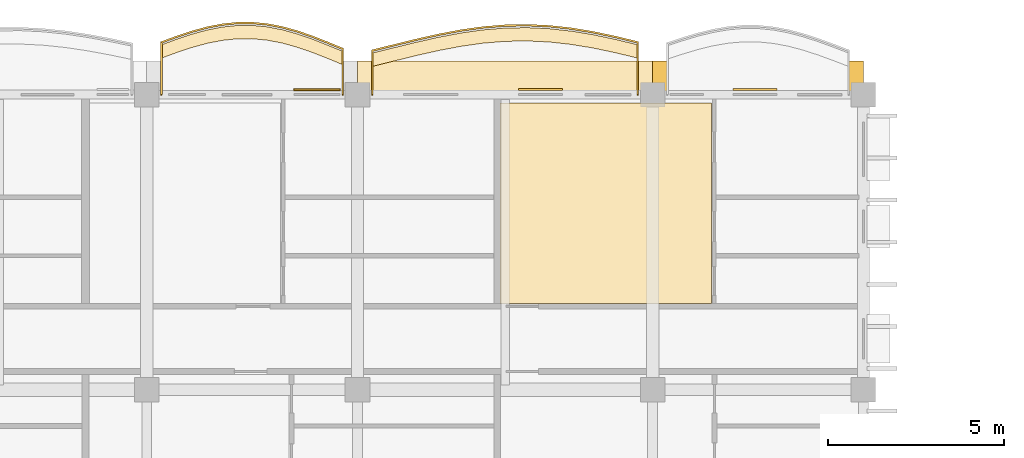
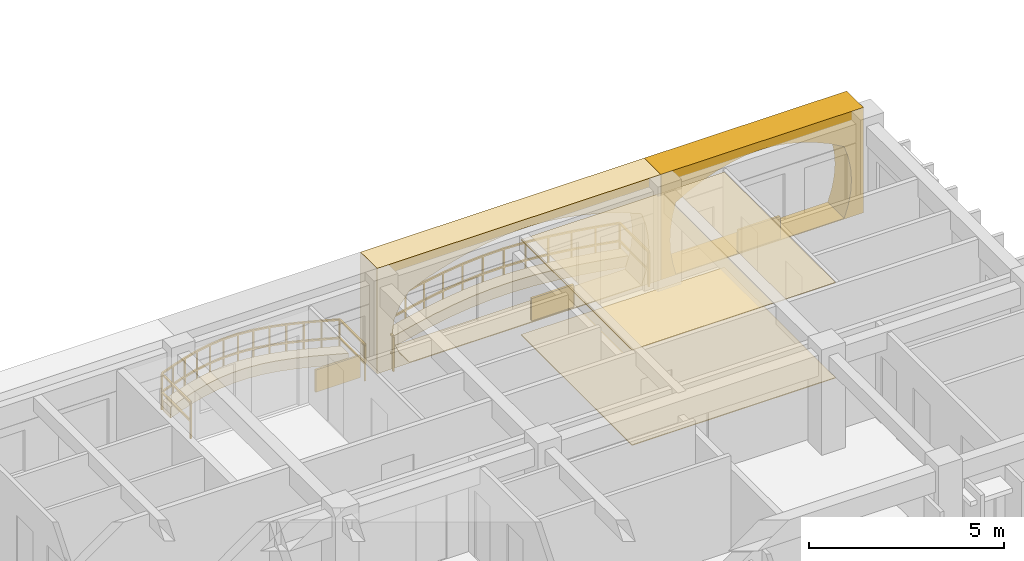
# One storey, part 83 of 101: 9 coverings, 2 railings.
"""IFC4 building model written with IfcOpenShell, lengths in metres."""

from ifc_helpers import new_model, si_unit, direction, frame, origin, origin_2d, place, context, subcontext, project, spatial, polyline, rectangle, outline, extrude, material, layer, layer_set, type_object, element, save


model = new_model("IFC4")

# Units and contexts
model_context = context("Model", 3, precision=1e-05, world=origin(), true_north=direction((0.0, 1.0)))
body_context = subcontext(model_context, "Body", "Model", "MODEL_VIEW")
ifc_project = project(units=[si_unit("LENGTHUNIT", "METRE"), si_unit("AREAUNIT", "SQUARE_METRE"), si_unit("VOLUMEUNIT", "CUBIC_METRE"), si_unit("PLANEANGLEUNIT", "RADIAN"), si_unit("MASSUNIT", "GRAM", prefix="KILO"), si_unit("THERMODYNAMICTEMPERATUREUNIT", "KELVIN")], contexts=[model_context])

# Site, building, storey
site_placement = place(None, origin())
site = spatial("IfcSite", under=ifc_project, at=site_placement, CompositionType="ELEMENT")
building_placement = place(site_placement, origin())
building = spatial("IfcBuilding", under=site, at=building_placement, Name="Thalorik Housing Commons", CompositionType="ELEMENT")
storey_placement = place(building_placement, frame((0.0, 0.0, 8.10009765625)))
storey = spatial("IfcBuildingStorey", under=building, at=storey_placement, Name="L02", CompositionType="ELEMENT", Elevation=8.10009765625)

# Coverings
ifc_material_1 = material(Name="Cobalt blue glazed ceramic facade tile panel", Category="masonry")
ifc_layer_1 = layer(ifc_material_1, 0.06005859375, Name="Cobalt blue glazed ceramic facade tile panel", Category="masonry")
ifc_layer_set_1 = layer_set([ifc_layer_1], Name="Cobalt blue glazed ceramic facade tile panel")
covering_type_1 = type_object("IfcCoveringType", Name="ARC-CLD-BLU-60", PredefinedType="CLADDING", material=ifc_layer_set_1)
covering_1_placement = place(storey_placement, frame((54.516357421875, 123.742431640625, 0.0498046875), z_axis=(0.0, 0.0, 1.0), x_axis=(-1.0, 0.0, 0.0)))
element("IfcCovering", 1, at=covering_1_placement, inside=storey, type_object=covering_type_1, Name="L02 De Stijl Recessed Window Spandrel 183", PredefinedType="CLADDING", context=body_context, shape_type="SweptSolid", body=[
    extrude(rectangle(XDim=1.25, YDim=0.06005859375, at=origin_2d()), origin(), (0.0, 0.0, 1.0), 0.699951171875),
])
ifc_material_2 = material(Name="Precast concrete C40/50", Category="concrete")
ifc_layer_2 = layer(ifc_material_2, 0.85009765625, Name="Precast concrete C40/50", Category="concrete")
ifc_layer_set_2 = layer_set([ifc_layer_2], Name="Precast concrete C40/50")
covering_type_2 = type_object("IfcCoveringType", Name="ARC-CLD-CUSH-850", PredefinedType="CLADDING", material=ifc_layer_set_2)
covering_2_placement = place(storey_placement, frame((54.60009765625, 124.132568359375, 0.0), z_axis=(0.0, 0.0, 1.0), x_axis=(-1.0, 0.0, 0.0)))
element("IfcCovering", 2, at=covering_2_placement, inside=storey, type_object=covering_type_2, Name="L02 White Precast Curved Cushion Bay Frame 182", PredefinedType="CLADDING", context=body_context, shape_type="SweptSolid", body=[
    extrude(outline(polyline([(-3.0, 0.0), (3.0, 0.0), (3.0, 3.300048828125), (-3.0, 3.300048828125), (-3.0, 0.0)]), holes=[polyline([(2.5537109375, 0.02490234375), (2.647705078125, 0.399169921875), (2.704345703125, 0.773193359375), (2.72314453125, 1.1474609375), (2.704345703125, 1.521728515625), (2.647705078125, 1.895751953125), (2.5537109375, 2.27001953125), (2.13818359375, 2.50439453125), (1.722900390625, 2.6884765625), (1.3076171875, 2.837646484375), (0.892333984375, 2.948486328125), (0.47705078125, 3.016845703125), (0.061767578125, 3.0400390625), (-0.353515625, 3.016845703125), (-0.768798828125, 2.948486328125), (-1.18408203125, 2.837646484375), (-1.599365234375, 2.6884765625), (-2.0146484375, 2.50439453125), (-2.429931640625, 2.27001953125), (-2.55029296875, 1.895751953125), (-2.62255859375, 1.521728515625), (-2.646484375, 1.1474609375), (-2.62255859375, 0.773193359375), (-2.55029296875, 0.399169921875), (-2.429931640625, 0.02490234375), (2.5537109375, 0.02490234375)])]), frame((0.0, 0.425048828125, 0.0), z_axis=(0.0, -1.0, 0.0), x_axis=(1.0, 0.0, 0.0)), (0.0, 0.0, 1.0), 0.85009765625),
])
covering_3_placement = place(storey_placement, frame((47.39990234375, 124.132568359375, 0.0), z_axis=(0.0, 0.0, 1.0), x_axis=(-1.0, 0.0, 0.0)))
element("IfcCovering", 3, at=covering_3_placement, inside=storey, type_object=covering_type_2, Name="L02 White Precast Curved Cushion Bay Frame 184", PredefinedType="CLADDING", context=body_context, shape_type="SweptSolid", body=[
    extrude(outline(polyline([(-4.199951171875, 0.0), (4.199951171875, 0.0), (4.199951171875, 3.300048828125), (-4.199951171875, 3.300048828125), (-4.199951171875, 0.0)]), holes=[polyline([(3.239990234375, 0.02490234375), (3.523193359375, 0.399169921875), (3.693359375, 0.773193359375), (3.75, 1.1474609375), (3.693359375, 1.521728515625), (3.523193359375, 1.895751953125), (3.239990234375, 2.27001953125), (2.66748046875, 2.50439453125), (2.094970703125, 2.6884765625), (1.5224609375, 2.837646484375), (0.949951171875, 2.948486328125), (0.37744140625, 3.016845703125), (-0.195068359375, 3.0400390625), (-0.767578125, 3.016845703125), (-1.340087890625, 2.948486328125), (-1.91259765625, 2.837646484375), (-2.485107421875, 2.6884765625), (-3.0576171875, 2.50439453125), (-3.6298828125, 2.27001953125), (-3.750244140625, 1.895751953125), (-3.822509765625, 1.521728515625), (-3.8466796875, 1.1474609375), (-3.822509765625, 0.773193359375), (-3.750244140625, 0.399169921875), (-3.6298828125, 0.02490234375), (3.239990234375, 0.02490234375)])]), frame((0.0, 0.425048828125, 0.0), z_axis=(0.0, -1.0, 0.0), x_axis=(1.0, 0.0, 0.0)), (0.0, 0.0, 1.0), 0.85009765625),
])
ifc_material_3 = material(Name="Terracotta red mineral fibre-cement panel", Category="masonry")
ifc_layer_3 = layer(ifc_material_3, 0.054931640625, Name="Terracotta red mineral fibre-cement panel", Category="masonry")
ifc_layer_set_3 = layer_set([ifc_layer_3], Name="Terracotta red mineral fibre-cement panel")
covering_type_3 = type_object("IfcCoveringType", Name="ARC-CLD-RED-55", PredefinedType="CLADDING", material=ifc_layer_set_3)
covering_4_placement = place(storey_placement, frame((42.0478515625, 123.739990234375, 0.0498046875), z_axis=(0.0, 0.0, 1.0), x_axis=(-1.0, 0.0, 0.0)))
element("IfcCovering", 4, at=covering_4_placement, inside=storey, type_object=covering_type_3, Name="L02 De Stijl Recessed Window Spandrel 187", PredefinedType="CLADDING", context=body_context, shape_type="SweptSolid", body=[
    extrude(rectangle(XDim=1.320068359375, YDim=0.054931640625, at=origin_2d()), origin(), (0.0, 0.0, 1.0), 0.699951171875),
])
ifc_material_4 = material(Name="Mineral ochre architectural terracotta panel", Category="masonry")
ifc_layer_4 = layer(ifc_material_4, 0.06494140625, Name="Mineral ochre architectural terracotta panel", Category="masonry")
ifc_layer_set_4 = layer_set([ifc_layer_4], Name="Mineral ochre architectural terracotta panel")
covering_type_4 = type_object("IfcCoveringType", Name="ARC-CLD-YEL-65", PredefinedType="CLADDING", material=ifc_layer_set_4)
covering_5_placement = place(storey_placement, frame((48.405029296875, 123.7451171875, 0.0498046875), z_axis=(0.0, 0.0, 1.0), x_axis=(-1.0, 0.0, 0.0)))
element("IfcCovering", 5, at=covering_5_placement, inside=storey, type_object=covering_type_4, Name="L02 De Stijl Recessed Window Spandrel 185", PredefinedType="CLADDING", context=body_context, shape_type="SweptSolid", body=[
    extrude(rectangle(XDim=1.25, YDim=0.06494140625, at=origin_2d()), origin(), (0.0, 0.0, 1.0), 0.699951171875),
])
ifc_material_5 = material(Name="Moisture-resistant gypsum bathroom ceiling")
ifc_layer_5 = layer(ifc_material_5, 0.02490234375, Name="Moisture-resistant gypsum bathroom ceiling")
ifc_layer_set_5 = layer_set([ifc_layer_5], Name="Moisture-resistant gypsum bathroom ceiling")
covering_type_5 = type_object("IfcCoveringType", Name="ARC-COV-CEIL-04", PredefinedType="CEILING", material=ifc_layer_set_5)
covering_6_placement = place(storey_placement, frame((0.0, 0.0, 2.974853515625)))
element("IfcCovering", 6, at=covering_6_placement, inside=storey, type_object=covering_type_5, Name="L02 Family Lounge Suspended Ceiling", PredefinedType="CEILING", context=body_context, shape_type="SweptSolid", body=[
    extrude(outline(polyline([(53.28271484375, 117.659912109375), (53.28271484375, 123.360107421875), (47.260009765625, 123.360107421875), (47.260009765625, 117.659912109375), (53.28271484375, 117.659912109375)])), origin(), (0.0, 0.0, 1.0), 0.025146484375),
])
ifc_material_6 = material(Name="Sprung Brazilian oak assembly hall timber floor", Category="wood")
ifc_layer_6 = layer(ifc_material_6, 0.02392578125, Name="Sprung Brazilian oak assembly hall timber floor", Category="wood")
ifc_layer_set_6 = layer_set([ifc_layer_6], Name="Sprung Brazilian oak assembly hall timber floor")
covering_type_6 = type_object("IfcCoveringType", Name="ARC-COV-FLR-04", PredefinedType="FLOORING", material=ifc_layer_set_6)
covering_7_placement = place(storey_placement, origin())
element("IfcCovering", 7, at=covering_7_placement, inside=storey, type_object=covering_type_6, Name="L02 Family Lounge Flooring", PredefinedType="FLOORING", context=body_context, shape_type="SweptSolid", body=[
    extrude(outline(polyline([(53.28271484375, 117.659912109375), (53.28271484375, 123.360107421875), (47.260009765625, 123.360107421875), (47.260009765625, 117.659912109375), (53.28271484375, 117.659912109375)])), origin(), (0.0, 0.0, 1.0), 0.02392578125),
])
ifc_material_7 = material(Name="Planted vegetated substrate and terracotta trough", Category="masonry")
ifc_layer_7 = layer(ifc_material_7, 0.340087890625, Name="Planted vegetated substrate and terracotta trough", Category="masonry")
ifc_layer_set_7 = layer_set([ifc_layer_7], Name="Planted vegetated substrate and terracotta trough")
covering_type_7 = type_object("IfcCoveringType", Name="ARC-COV-PLANTER", PredefinedType="USERDEFINED", material=ifc_layer_set_7)
covering_8_placement = place(storey_placement, origin())
element("IfcCovering", 8, at=covering_8_placement, inside=storey, type_object=covering_type_7, Name="L02 Balcony Slab-Edge Planted Trough 5319", ObjectType="PLANTER", PredefinedType="USERDEFINED", context=body_context, shape_type="SweptSolid", body=[
    extrude(outline(polyline([(42.780029296875, 124.83154296875), (42.35009765625, 125.009521484375), (41.919921875, 125.17822265625), (41.489990234375, 125.3271484375), (41.06005859375, 125.446533203125), (40.6298828125, 125.529296875), (40.199951171875, 125.570556640625), (39.77001953125, 125.56787109375), (39.340087890625, 125.522216796875), (38.909912109375, 125.43701171875), (38.47998046875, 125.31884765625), (38.050048828125, 125.17578125), (37.6201171875, 125.017578125), (37.6201171875, 124.6376953125), (38.050048828125, 124.795654296875), (38.47998046875, 124.938720703125), (38.909912109375, 125.05712890625), (39.340087890625, 125.14208984375), (39.77001953125, 125.187744140625), (40.199951171875, 125.1904296875), (40.6298828125, 125.1494140625), (41.06005859375, 125.066650390625), (41.489990234375, 124.947021484375), (41.919921875, 124.798095703125), (42.35009765625, 124.62939453125), (42.780029296875, 124.45166015625), (42.780029296875, 124.83154296875)])), origin(), (0.0, 0.0, 1.0), 0.33984375),
])
covering_9_placement = place(storey_placement, origin())
element("IfcCovering", 9, at=covering_9_placement, inside=storey, type_object=covering_type_7, Name="L02 Balcony Slab-Edge Planted Trough 5320", ObjectType="PLANTER", PredefinedType="USERDEFINED", context=body_context, shape_type="SweptSolid", body=[
    extrude(outline(polyline([(51.179931640625, 125.017822265625), (50.550048828125, 125.170166015625), (49.919921875, 125.302978515625), (49.2900390625, 125.40771484375), (48.659912109375, 125.477294921875), (48.030029296875, 125.507080078125), (47.39990234375, 125.49560546875), (46.77001953125, 125.443115234375), (46.139892578125, 125.35400390625), (45.510009765625, 125.234619140625), (44.8798828125, 125.0927734375), (44.25, 124.938720703125), (43.6201171875, 124.78271484375), (43.6201171875, 124.402587890625), (44.25, 124.55859375), (44.8798828125, 124.712890625), (45.510009765625, 124.8544921875), (46.139892578125, 124.97412109375), (46.77001953125, 125.063232421875), (47.39990234375, 125.115478515625), (48.030029296875, 125.127197265625), (48.659912109375, 125.097412109375), (49.2900390625, 125.02783203125), (49.919921875, 124.923095703125), (50.550048828125, 124.7900390625), (51.179931640625, 124.6376953125), (51.179931640625, 125.017822265625)])), origin(), (0.0, 0.0, 1.0), 0.33984375),
])

# Railings
ifc_material_8 = material(Name="Steel S355", Category="steel")
railing_type_1 = type_object("IfcRailingType", Name="ARC-RL-BAL-112", PredefinedType="BALUSTRADE", material=ifc_material_8)
railing_1_placement = place(storey_placement, frame((51.179931640625, 123.60009765625, 0.0)))
element("IfcRailing", 10, at=railing_1_placement, inside=storey, type_object=railing_type_1, Name="L02 Cushion Balcony Guardrail 4", PredefinedType="BALUSTRADE", context=body_context, shape_type="SweptSolid", body=[
    extrude(rectangle(XDim=0.050048828125, YDim=0.050048828125, at=origin_2d()), frame((0.0, 0.0, 1.09521484375), z_axis=(0.0, 1.0, 0.0), x_axis=(-1.0, 0.0, 0.0)), (0.0, 0.0, 1.0), 1.48779296875),
    extrude(rectangle(XDim=0.050048828125, YDim=0.050048828125, at=origin_2d()), frame((0.0, 0.0, 0.53515625), z_axis=(0.0, 1.0, 0.0), x_axis=(-1.0, 0.0, 0.0)), (0.0, 0.0, 1.0), 1.48779296875),
    extrude(rectangle(XDim=0.050048828125, YDim=0.050048828125, at=origin_2d()), frame((0.0, 1.48779296875, 1.09521484375), z_axis=(-0.972061461367, 0.23472646916, 0.0), x_axis=(-0.23472646916, -0.972061461367, 0.0)), (0.0, 0.0, 1.0), 0.64794921875),
    extrude(rectangle(XDim=0.050048828125, YDim=0.050048828125, at=origin_2d()), frame((0.0, 1.48779296875, 0.53515625), z_axis=(-0.972061461367, 0.23472646916, 0.0), x_axis=(-0.23472646916, -0.972061461367, 0.0)), (0.0, 0.0, 1.0), 0.64794921875),
    extrude(rectangle(XDim=0.050048828125, YDim=0.050048828125, at=origin_2d()), frame((-0.6298828125, 1.639892578125, 1.09521484375), z_axis=(-0.97842491914, 0.206602704739, 0.0), x_axis=(-0.206602704739, -0.97842491914, 0.0)), (0.0, 0.0, 1.0), 0.64404296875),
    extrude(rectangle(XDim=0.050048828125, YDim=0.050048828125, at=origin_2d()), frame((-0.6298828125, 1.639892578125, 0.53515625), z_axis=(-0.97842491914, 0.206602704739, 0.0), x_axis=(-0.206602704739, -0.97842491914, 0.0)), (0.0, 0.0, 1.0), 0.64404296875),
    extrude(rectangle(XDim=0.050048828125, YDim=0.050048828125, at=origin_2d()), frame((-1.260009765625, 1.77294921875, 1.09521484375), z_axis=(-0.986455855934, 0.164026962091, 0.0), x_axis=(-0.164026962091, -0.986455855934, 0.0)), (0.0, 0.0, 1.0), 0.638427734375),
    extrude(rectangle(XDim=0.050048828125, YDim=0.050048828125, at=origin_2d()), frame((-1.260009765625, 1.77294921875, 0.53515625), z_axis=(-0.986455855934, 0.164026962091, 0.0), x_axis=(-0.164026962091, -0.986455855934, 0.0)), (0.0, 0.0, 1.0), 0.638427734375),
    extrude(rectangle(XDim=0.050048828125, YDim=0.050048828125, at=origin_2d()), frame((-1.889892578125, 1.877685546875, 1.09521484375), z_axis=(-0.993958647225, 0.109755216761, 0.0), x_axis=(-0.109755216761, -0.993958647225, 0.0)), (0.0, 0.0, 1.0), 0.634033203125),
    extrude(rectangle(XDim=0.050048828125, YDim=0.050048828125, at=origin_2d()), frame((-1.889892578125, 1.877685546875, 0.53515625), z_axis=(-0.993958647225, 0.109755216761, 0.0), x_axis=(-0.109755216761, -0.993958647225, 0.0)), (0.0, 0.0, 1.0), 0.634033203125),
    extrude(rectangle(XDim=0.050048828125, YDim=0.050048828125, at=origin_2d()), frame((-2.52001953125, 1.947265625, 1.09521484375), z_axis=(-0.998883849719, 0.047234042506, 0.0), x_axis=(-0.047234042506, -0.998883849719, 0.0)), (0.0, 0.0, 1.0), 0.630615234375),
    extrude(rectangle(XDim=0.050048828125, YDim=0.050048828125, at=origin_2d()), frame((-2.52001953125, 1.947265625, 0.53515625), z_axis=(-0.998883849719, 0.047234042506, 0.0), x_axis=(-0.047234042506, -0.998883849719, 0.0)), (0.0, 0.0, 1.0), 0.630615234375),
    extrude(rectangle(XDim=0.050048828125, YDim=0.050048828125, at=origin_2d()), frame((-3.14990234375, 1.97705078125, 1.09521484375), z_axis=(-0.999827112405, -0.018594227584, 0.0), x_axis=(0.018594227584, -0.999827112405, 0.0)), (0.0, 0.0, 1.0), 0.630126953125),
    extrude(rectangle(XDim=0.050048828125, YDim=0.050048828125, at=origin_2d()), frame((-3.14990234375, 1.97705078125, 0.53515625), z_axis=(-0.999827112405, -0.018594227584, 0.0), x_axis=(0.018594227584, -0.999827112405, 0.0)), (0.0, 0.0, 1.0), 0.630126953125),
    extrude(rectangle(XDim=0.050048828125, YDim=0.050048828125, at=origin_2d()), frame((-3.780029296875, 1.96533203125, 1.09521484375), z_axis=(-0.996577651619, -0.082661867227, 0.0), x_axis=(0.082661867227, -0.996577651619, 0.0)), (0.0, 0.0, 1.0), 0.632080078125),
    extrude(rectangle(XDim=0.050048828125, YDim=0.050048828125, at=origin_2d()), frame((-3.780029296875, 1.96533203125, 0.53515625), z_axis=(-0.996577651619, -0.082661867227, 0.0), x_axis=(0.082661867227, -0.996577651619, 0.0)), (0.0, 0.0, 1.0), 0.632080078125),
    extrude(rectangle(XDim=0.050048828125, YDim=0.050048828125, at=origin_2d()), frame((-4.409912109375, 1.9130859375, 1.09521484375), z_axis=(-0.990147996171, -0.140024803798, 0.0), x_axis=(0.140024803798, -0.990147996171, 0.0)), (0.0, 0.0, 1.0), 0.636474609375),
    extrude(rectangle(XDim=0.050048828125, YDim=0.050048828125, at=origin_2d()), frame((-4.409912109375, 1.9130859375, 0.53515625), z_axis=(-0.990147996171, -0.140024803798, 0.0), x_axis=(0.140024803798, -0.990147996171, 0.0)), (0.0, 0.0, 1.0), 0.636474609375),
    extrude(rectangle(XDim=0.050048828125, YDim=0.050048828125, at=origin_2d()), frame((-5.0400390625, 1.823974609375, 1.09521484375), z_axis=(-0.982508153778, -0.186219568681, 0.0), x_axis=(0.186219568681, -0.982508153778, 0.0)), (0.0, 0.0, 1.0), 0.64111328125),
    extrude(rectangle(XDim=0.050048828125, YDim=0.050048828125, at=origin_2d()), frame((-5.0400390625, 1.823974609375, 0.53515625), z_axis=(-0.982508153778, -0.186219568681, 0.0), x_axis=(0.186219568681, -0.982508153778, 0.0)), (0.0, 0.0, 1.0), 0.64111328125),
    extrude(rectangle(XDim=0.050048828125, YDim=0.050048828125, at=origin_2d()), frame((-5.669921875, 1.70458984375, 1.09521484375), z_axis=(-0.975587490028, -0.219611132006, 0.0), x_axis=(0.219611132006, -0.975587490028, 0.0)), (0.0, 0.0, 1.0), 0.64599609375),
    extrude(rectangle(XDim=0.050048828125, YDim=0.050048828125, at=origin_2d()), frame((-5.669921875, 1.70458984375, 0.53515625), z_axis=(-0.975587490028, -0.219611132006, 0.0), x_axis=(0.219611132006, -0.975587490028, 0.0)), (0.0, 0.0, 1.0), 0.64599609375),
    extrude(rectangle(XDim=0.050048828125, YDim=0.050048828125, at=origin_2d()), frame((-6.300048828125, 1.562744140625, 1.09521484375), z_axis=(-0.971370051234, -0.23757151253, 0.0), x_axis=(0.23757151253, -0.971370051234, 0.0)), (0.0, 0.0, 1.0), 0.6484375),
    extrude(rectangle(XDim=0.050048828125, YDim=0.050048828125, at=origin_2d()), frame((-6.300048828125, 1.562744140625, 0.53515625), z_axis=(-0.971370051234, -0.23757151253, 0.0), x_axis=(0.23757151253, -0.971370051234, 0.0)), (0.0, 0.0, 1.0), 0.6484375),
    extrude(rectangle(XDim=0.050048828125, YDim=0.050048828125, at=origin_2d()), frame((-6.929931640625, 1.40869140625, 1.09521484375), z_axis=(-0.970583467402, -0.240764891139, 0.0), x_axis=(0.240764891139, -0.970583467402, 0.0)), (0.0, 0.0, 1.0), 0.64892578125),
    extrude(rectangle(XDim=0.050048828125, YDim=0.050048828125, at=origin_2d()), frame((-6.929931640625, 1.40869140625, 0.53515625), z_axis=(-0.970583467402, -0.240764891139, 0.0), x_axis=(0.240764891139, -0.970583467402, 0.0)), (0.0, 0.0, 1.0), 0.64892578125),
    extrude(rectangle(XDim=0.050048828125, YDim=0.050048828125, at=origin_2d()), frame((-7.559814453125, 1.25244140625, 1.09521484375), z_axis=(0.0, -1.0, 0.0), x_axis=(1.0, 0.0, 0.0)), (0.0, 0.0, 1.0), 1.25244140625),
    extrude(rectangle(XDim=0.050048828125, YDim=0.050048828125, at=origin_2d()), frame((-7.559814453125, 1.25244140625, 0.53515625), z_axis=(0.0, -1.0, 0.0), x_axis=(1.0, 0.0, 0.0)), (0.0, 0.0, 1.0), 1.25244140625),
    extrude(rectangle(XDim=0.0419921875, YDim=0.0419921875, at=origin_2d()), origin(), (0.0, 0.0, 1.0), 1.070068359375),
    extrude(rectangle(XDim=0.0419921875, YDim=0.0419921875, at=origin_2d()), frame((0.0, 1.48779296875, 0.0)), (0.0, 0.0, 1.0), 1.070068359375),
    extrude(rectangle(XDim=0.0419921875, YDim=0.0419921875, at=origin_2d()), frame((-0.6298828125, 1.639892578125, 0.0)), (0.0, 0.0, 1.0), 1.070068359375),
    extrude(rectangle(XDim=0.0419921875, YDim=0.0419921875, at=origin_2d()), frame((-1.260009765625, 1.77294921875, 0.0)), (0.0, 0.0, 1.0), 1.070068359375),
    extrude(rectangle(XDim=0.0419921875, YDim=0.0419921875, at=origin_2d()), frame((-1.889892578125, 1.877685546875, 0.0)), (0.0, 0.0, 1.0), 1.070068359375),
    extrude(rectangle(XDim=0.0419921875, YDim=0.0419921875, at=origin_2d()), frame((-2.52001953125, 1.947265625, 0.0)), (0.0, 0.0, 1.0), 1.070068359375),
    extrude(rectangle(XDim=0.0419921875, YDim=0.0419921875, at=origin_2d()), frame((-3.14990234375, 1.97705078125, 0.0)), (0.0, 0.0, 1.0), 1.070068359375),
    extrude(rectangle(XDim=0.0419921875, YDim=0.0419921875, at=origin_2d()), frame((-3.780029296875, 1.96533203125, 0.0)), (0.0, 0.0, 1.0), 1.070068359375),
    extrude(rectangle(XDim=0.0419921875, YDim=0.0419921875, at=origin_2d()), frame((-4.409912109375, 1.9130859375, 0.0)), (0.0, 0.0, 1.0), 1.070068359375),
    extrude(rectangle(XDim=0.0419921875, YDim=0.0419921875, at=origin_2d()), frame((-5.0400390625, 1.823974609375, 0.0)), (0.0, 0.0, 1.0), 1.070068359375),
    extrude(rectangle(XDim=0.0419921875, YDim=0.0419921875, at=origin_2d()), frame((-5.669921875, 1.70458984375, 0.0)), (0.0, 0.0, 1.0), 1.070068359375),
    extrude(rectangle(XDim=0.0419921875, YDim=0.0419921875, at=origin_2d()), frame((-6.300048828125, 1.562744140625, 0.0)), (0.0, 0.0, 1.0), 1.070068359375),
    extrude(rectangle(XDim=0.0419921875, YDim=0.0419921875, at=origin_2d()), frame((-6.929931640625, 1.40869140625, 0.0)), (0.0, 0.0, 1.0), 1.070068359375),
    extrude(rectangle(XDim=0.0419921875, YDim=0.0419921875, at=origin_2d()), frame((-7.559814453125, 1.25244140625, 0.0)), (0.0, 0.0, 1.0), 1.070068359375),
    extrude(rectangle(XDim=0.0419921875, YDim=0.0419921875, at=origin_2d()), frame((-7.559814453125, 0.0, 0.0)), (0.0, 0.0, 1.0), 1.070068359375),
])
railing_type_2 = type_object("IfcRailingType", Name="ARC-RL-BAL-115", PredefinedType="BALUSTRADE", material=ifc_material_8)
railing_2_placement = place(storey_placement, frame((42.780029296875, 123.60009765625, 0.0)))
element("IfcRailing", 11, at=railing_2_placement, inside=storey, type_object=railing_type_2, Name="L02 Cushion Balcony Guardrail 3", PredefinedType="BALUSTRADE", context=body_context, shape_type="SweptSolid", body=[
    extrude(rectangle(XDim=0.050048828125, YDim=0.050048828125, at=origin_2d()), frame((0.0, 0.0, 1.125), z_axis=(0.0, 1.0, 0.0), x_axis=(-1.0, 0.0, 0.0)), (0.0, 0.0, 1.0), 1.301513671875),
    extrude(rectangle(XDim=0.050048828125, YDim=0.050048828125, at=origin_2d()), frame((0.0, 0.0, 0.5498046875), z_axis=(0.0, 1.0, 0.0), x_axis=(-1.0, 0.0, 0.0)), (0.0, 0.0, 1.0), 1.301513671875),
    extrude(rectangle(XDim=0.050048828125, YDim=0.050048828125, at=origin_2d()), frame((0.0, 1.301513671875, 1.125), z_axis=(-0.923959293734, 0.382490814953, 0.0), x_axis=(-0.382490814953, -0.923959293734, 0.0)), (0.0, 0.0, 1.0), 0.46533203125),
    extrude(rectangle(XDim=0.050048828125, YDim=0.050048828125, at=origin_2d()), frame((0.0, 1.301513671875, 0.5498046875), z_axis=(-0.923959293734, 0.382490814953, 0.0), x_axis=(-0.382490814953, -0.923959293734, 0.0)), (0.0, 0.0, 1.0), 0.46533203125),
    extrude(rectangle(XDim=0.050048828125, YDim=0.050048828125, at=origin_2d()), frame((-0.429931640625, 1.4794921875, 1.125), z_axis=(-0.93096967722, 0.365096507922, 0.0), x_axis=(-0.365096507922, -0.93096967722, 0.0)), (0.0, 0.0, 1.0), 0.462158203125),
    extrude(rectangle(XDim=0.050048828125, YDim=0.050048828125, at=origin_2d()), frame((-0.429931640625, 1.4794921875, 0.5498046875), z_axis=(-0.93096967722, 0.365096507922, 0.0), x_axis=(-0.365096507922, -0.93096967722, 0.0)), (0.0, 0.0, 1.0), 0.462158203125),
    extrude(rectangle(XDim=0.050048828125, YDim=0.050048828125, at=origin_2d()), frame((-0.860107421875, 1.648193359375, 1.125), z_axis=(-0.944915878201, 0.327313279786, 0.0), x_axis=(-0.327313279786, -0.944915878201, 0.0)), (0.0, 0.0, 1.0), 0.455078125),
    extrude(rectangle(XDim=0.050048828125, YDim=0.050048828125, at=origin_2d()), frame((-0.860107421875, 1.648193359375, 0.5498046875), z_axis=(-0.944915878201, 0.327313279786, 0.0), x_axis=(-0.327313279786, -0.944915878201, 0.0)), (0.0, 0.0, 1.0), 0.455078125),
    extrude(rectangle(XDim=0.050048828125, YDim=0.050048828125, at=origin_2d()), frame((-1.2900390625, 1.797119140625, 1.125), z_axis=(-0.963541422637, 0.267559202538, 0.0), x_axis=(-0.267559202538, -0.963541422637, 0.0)), (0.0, 0.0, 1.0), 0.4462890625),
    extrude(rectangle(XDim=0.050048828125, YDim=0.050048828125, at=origin_2d()), frame((-1.2900390625, 1.797119140625, 0.5498046875), z_axis=(-0.963541422637, 0.267559202538, 0.0), x_axis=(-0.267559202538, -0.963541422637, 0.0)), (0.0, 0.0, 1.0), 0.4462890625),
    extrude(rectangle(XDim=0.050048828125, YDim=0.050048828125, at=origin_2d()), frame((-1.719970703125, 1.91650390625, 1.125), z_axis=(-0.981990542905, 0.188930076075, 0.0), x_axis=(-0.188930076075, -0.981990542905, 0.0)), (0.0, 0.0, 1.0), 0.43798828125),
    extrude(rectangle(XDim=0.050048828125, YDim=0.050048828125, at=origin_2d()), frame((-1.719970703125, 1.91650390625, 0.5498046875), z_axis=(-0.981990542905, 0.188930076075, 0.0), x_axis=(-0.188930076075, -0.981990542905, 0.0)), (0.0, 0.0, 1.0), 0.43798828125),
    extrude(rectangle(XDim=0.050048828125, YDim=0.050048828125, at=origin_2d()), frame((-2.150146484375, 1.999267578125, 1.125), z_axis=(-0.995480215882, 0.094969151771, 0.0), x_axis=(-0.094969151771, -0.995480215882, 0.0)), (0.0, 0.0, 1.0), 0.431884765625),
    extrude(rectangle(XDim=0.050048828125, YDim=0.050048828125, at=origin_2d()), frame((-2.150146484375, 1.999267578125, 0.5498046875), z_axis=(-0.995480215882, 0.094969151771, 0.0), x_axis=(-0.094969151771, -0.995480215882, 0.0)), (0.0, 0.0, 1.0), 0.431884765625),
    extrude(rectangle(XDim=0.050048828125, YDim=0.050048828125, at=origin_2d()), frame((-2.580078125, 2.040283203125, 1.125), z_axis=(-0.999980491497, -0.006246329021, 0.0), x_axis=(0.006246329021, -0.999980491497, 0.0)), (0.0, 0.0, 1.0), 0.429931640625),
    extrude(rectangle(XDim=0.050048828125, YDim=0.050048828125, at=origin_2d()), frame((-2.580078125, 2.040283203125, 0.5498046875), z_axis=(-0.999980491497, -0.006246329021, 0.0), x_axis=(0.006246329021, -0.999980491497, 0.0)), (0.0, 0.0, 1.0), 0.429931640625),
    extrude(rectangle(XDim=0.050048828125, YDim=0.050048828125, at=origin_2d()), frame((-3.010009765625, 2.03759765625, 1.125), z_axis=(-0.994409116474, -0.105595970915, 0.0), x_axis=(0.105595970915, -0.994409116474, 0.0)), (0.0, 0.0, 1.0), 0.432373046875),
    extrude(rectangle(XDim=0.050048828125, YDim=0.050048828125, at=origin_2d()), frame((-3.010009765625, 2.03759765625, 0.5498046875), z_axis=(-0.994409116474, -0.105595970915, 0.0), x_axis=(0.105595970915, -0.994409116474, 0.0)), (0.0, 0.0, 1.0), 0.432373046875),
    extrude(rectangle(XDim=0.050048828125, YDim=0.050048828125, at=origin_2d()), frame((-3.43994140625, 1.991943359375, 1.125), z_axis=(-0.981048969075, -0.1937599553, 0.0), x_axis=(0.1937599553, -0.981048969075, 0.0)), (0.0, 0.0, 1.0), 0.4384765625),
    extrude(rectangle(XDim=0.050048828125, YDim=0.050048828125, at=origin_2d()), frame((-3.43994140625, 1.991943359375, 0.5498046875), z_axis=(-0.981048969075, -0.1937599553, 0.0), x_axis=(0.1937599553, -0.981048969075, 0.0)), (0.0, 0.0, 1.0), 0.4384765625),
    extrude(rectangle(XDim=0.050048828125, YDim=0.050048828125, at=origin_2d()), frame((-3.8701171875, 1.906982421875, 1.125), z_axis=(-0.964243880098, -0.265016489476, 0.0), x_axis=(0.265016489476, -0.964243880098, 0.0)), (0.0, 0.0, 1.0), 0.44580078125),
    extrude(rectangle(XDim=0.050048828125, YDim=0.050048828125, at=origin_2d()), frame((-3.8701171875, 1.906982421875, 0.5498046875), z_axis=(-0.964243880098, -0.265016489476, 0.0), x_axis=(0.265016489476, -0.964243880098, 0.0)), (0.0, 0.0, 1.0), 0.44580078125),
    extrude(rectangle(XDim=0.050048828125, YDim=0.050048828125, at=origin_2d()), frame((-4.300048828125, 1.788818359375, 1.125), z_axis=(-0.948683298051, -0.316227766017, 0.0), x_axis=(0.316227766017, -0.948683298051, 0.0)), (0.0, 0.0, 1.0), 0.453125),
    extrude(rectangle(XDim=0.050048828125, YDim=0.050048828125, at=origin_2d()), frame((-4.300048828125, 1.788818359375, 0.5498046875), z_axis=(-0.948683298051, -0.316227766017, 0.0), x_axis=(0.316227766017, -0.948683298051, 0.0)), (0.0, 0.0, 1.0), 0.453125),
    extrude(rectangle(XDim=0.050048828125, YDim=0.050048828125, at=origin_2d()), frame((-4.72998046875, 1.6455078125, 1.125), z_axis=(-0.938652153889, -0.34486538533, 0.0), x_axis=(0.34486538533, -0.938652153889, 0.0)), (0.0, 0.0, 1.0), 0.4580078125),
    extrude(rectangle(XDim=0.050048828125, YDim=0.050048828125, at=origin_2d()), frame((-4.72998046875, 1.6455078125, 0.5498046875), z_axis=(-0.938652153889, -0.34486538533, 0.0), x_axis=(0.34486538533, -0.938652153889, 0.0)), (0.0, 0.0, 1.0), 0.4580078125),
    extrude(rectangle(XDim=0.050048828125, YDim=0.050048828125, at=origin_2d()), frame((-5.159912109375, 1.487548828125, 1.125), z_axis=(0.0, -1.0, 0.0), x_axis=(1.0, 0.0, 0.0)), (0.0, 0.0, 1.0), 1.487548828125),
    extrude(rectangle(XDim=0.050048828125, YDim=0.050048828125, at=origin_2d()), frame((-5.159912109375, 1.487548828125, 0.5498046875), z_axis=(0.0, -1.0, 0.0), x_axis=(1.0, 0.0, 0.0)), (0.0, 0.0, 1.0), 1.487548828125),
    extrude(rectangle(XDim=0.0419921875, YDim=0.0419921875, at=origin_2d()), origin(), (0.0, 0.0, 1.0), 1.099853515625),
    extrude(rectangle(XDim=0.0419921875, YDim=0.0419921875, at=origin_2d()), frame((0.0, 1.301513671875, 0.0)), (0.0, 0.0, 1.0), 1.099853515625),
    extrude(rectangle(XDim=0.0419921875, YDim=0.0419921875, at=origin_2d()), frame((-0.429931640625, 1.4794921875, 0.0)), (0.0, 0.0, 1.0), 1.099853515625),
    extrude(rectangle(XDim=0.0419921875, YDim=0.0419921875, at=origin_2d()), frame((-0.860107421875, 1.648193359375, 0.0)), (0.0, 0.0, 1.0), 1.099853515625),
    extrude(rectangle(XDim=0.0419921875, YDim=0.0419921875, at=origin_2d()), frame((-1.2900390625, 1.797119140625, 0.0)), (0.0, 0.0, 1.0), 1.099853515625),
    extrude(rectangle(XDim=0.0419921875, YDim=0.0419921875, at=origin_2d()), frame((-1.719970703125, 1.91650390625, 0.0)), (0.0, 0.0, 1.0), 1.099853515625),
    extrude(rectangle(XDim=0.0419921875, YDim=0.0419921875, at=origin_2d()), frame((-2.150146484375, 1.999267578125, 0.0)), (0.0, 0.0, 1.0), 1.099853515625),
    extrude(rectangle(XDim=0.0419921875, YDim=0.0419921875, at=origin_2d()), frame((-2.580078125, 2.040283203125, 0.0)), (0.0, 0.0, 1.0), 1.099853515625),
    extrude(rectangle(XDim=0.0419921875, YDim=0.0419921875, at=origin_2d()), frame((-3.010009765625, 2.03759765625, 0.0)), (0.0, 0.0, 1.0), 1.099853515625),
    extrude(rectangle(XDim=0.0419921875, YDim=0.0419921875, at=origin_2d()), frame((-3.43994140625, 1.991943359375, 0.0)), (0.0, 0.0, 1.0), 1.099853515625),
    extrude(rectangle(XDim=0.0419921875, YDim=0.0419921875, at=origin_2d()), frame((-3.8701171875, 1.906982421875, 0.0)), (0.0, 0.0, 1.0), 1.099853515625),
    extrude(rectangle(XDim=0.0419921875, YDim=0.0419921875, at=origin_2d()), frame((-4.300048828125, 1.788818359375, 0.0)), (0.0, 0.0, 1.0), 1.099853515625),
    extrude(rectangle(XDim=0.0419921875, YDim=0.0419921875, at=origin_2d()), frame((-4.72998046875, 1.6455078125, 0.0)), (0.0, 0.0, 1.0), 1.099853515625),
    extrude(rectangle(XDim=0.0419921875, YDim=0.0419921875, at=origin_2d()), frame((-5.159912109375, 1.487548828125, 0.0)), (0.0, 0.0, 1.0), 1.099853515625),
    extrude(rectangle(XDim=0.0419921875, YDim=0.0419921875, at=origin_2d()), frame((-5.159912109375, 0.0, 0.0)), (0.0, 0.0, 1.0), 1.099853515625),
])

save(model, "model.ifc")
